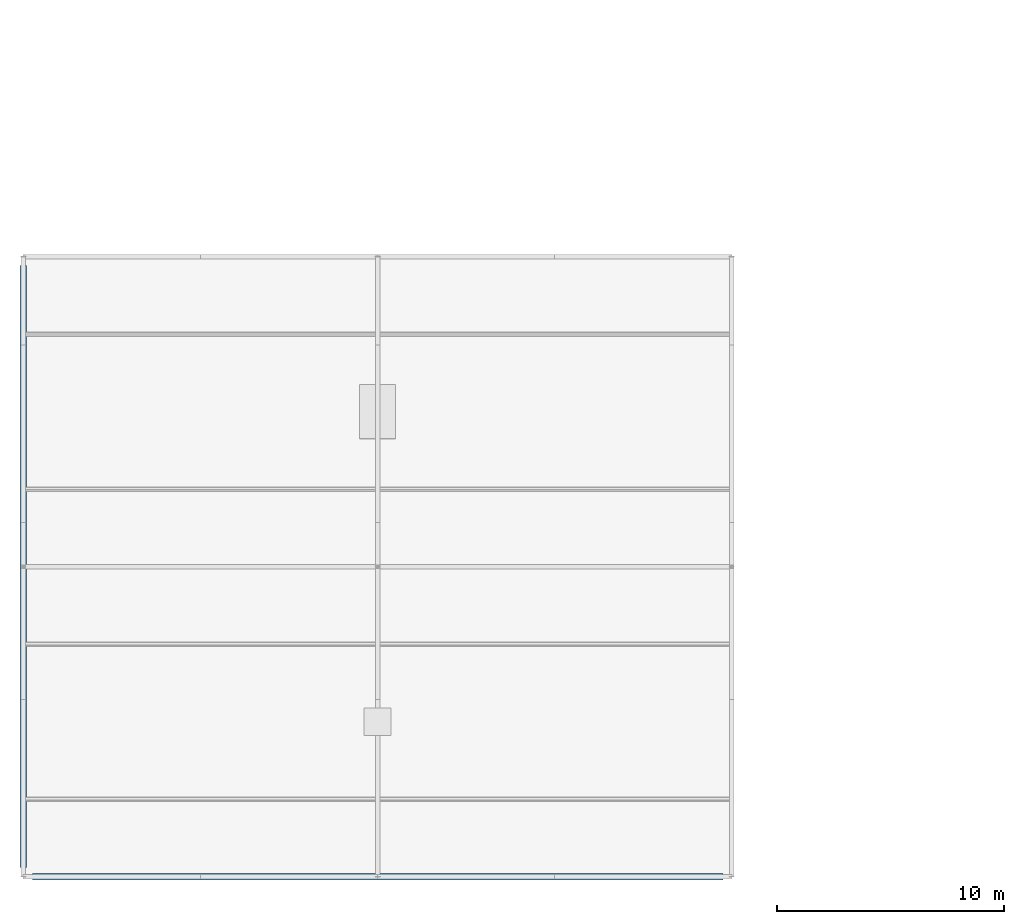
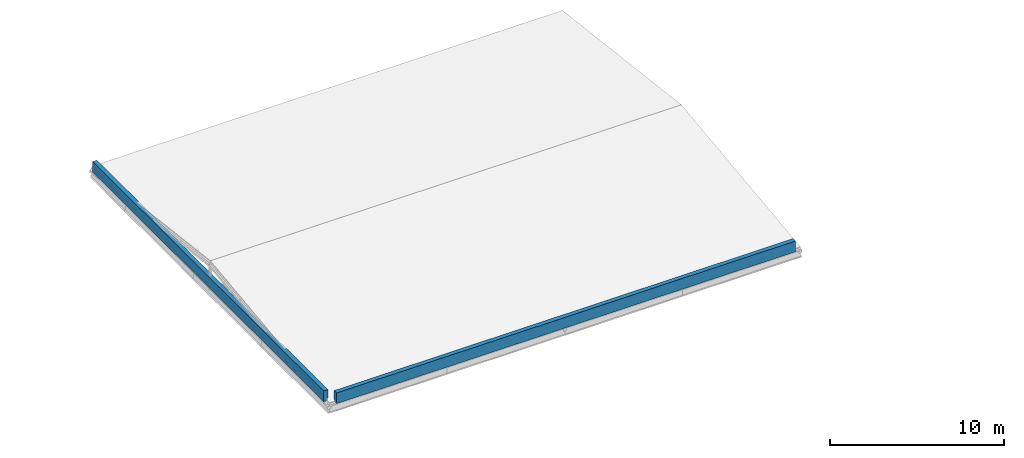
# One storey, part 16 of 21: 2 walls.
"""IFC4 building model written with IfcOpenShell, lengths in metres."""

from ifc_helpers import new_model, si_unit, direction, frame, frame_2d, origin, place, context, subcontext, project, spatial, rectangle, extrude, material, layer, layer_set, type_object, element, save


model = new_model("IFC4")

# Units and contexts
model_context = context("Model", 3, precision=1e-05, world=origin(), true_north=direction((0.0, 1.0)))
body_context = subcontext(model_context, "Body", "Model", "MODEL_VIEW")
ifc_project = project(units=[si_unit("LENGTHUNIT", "METRE"), si_unit("AREAUNIT", "SQUARE_METRE"), si_unit("VOLUMEUNIT", "CUBIC_METRE"), si_unit("PLANEANGLEUNIT", "RADIAN"), si_unit("MASSUNIT", "GRAM", prefix="KILO")], contexts=[model_context])

# Site, building, storey
site_placement = place(None, origin())
site = spatial("IfcSite", under=ifc_project, at=site_placement, CompositionType="ELEMENT")
building_placement = place(site_placement, origin())
building = spatial("IfcBuilding", under=site, at=building_placement, Name="Celorna Specialist Clinic", CompositionType="ELEMENT")
storey_placement = place(building_placement, frame((0.0, 0.0, 23.10009765625)))
storey = spatial("IfcBuildingStorey", under=building, at=storey_placement, Name="L05", CompositionType="ELEMENT", Elevation=23.10009765625)

# Walls
ifc_material = material(Name="Pero Pinheiro Lioz limestone coping wall", Category="masonry")
ifc_layer = layer(ifc_material, 0.280029296875, Name="Pero Pinheiro Lioz limestone coping wall")
ifc_layer_set = layer_set([ifc_layer], Name="Pero Pinheiro Lioz limestone coping wall")
wall_type = type_object("IfcWallType", Name="WT-09", PredefinedType="PARAPET", material=ifc_layer_set)
wall_1_placement = place(storey_placement, frame((0.39990234375, 0.0, 0.0), z_axis=(0.0, 0.0, 1.0), x_axis=(1.0, 0.0, 0.0)))
element("IfcWall", 1, at=wall_1_placement, inside=storey, type_object=wall_type, Name="Lioz roof parapet WT-09 #3", PredefinedType="PARAPET", context=body_context, shape_type="SweptSolid", body=[
    extrude(rectangle(XDim=30.400146484375, YDim=0.280029296875, at=frame_2d((15.2001953125, 0.0))), origin(), (0.0, 0.0, 1.0), 0.75),
])
wall_2_placement = place(storey_placement, frame((0.0, 26.89990234375, 0.0), z_axis=(0.0, 0.0, 1.0), x_axis=(0.0, -1.0, 0.0)))
element("IfcWall", 2, at=wall_2_placement, inside=storey, type_object=wall_type, Name="Lioz roof parapet WT-09 #4", PredefinedType="PARAPET", context=body_context, shape_type="SweptSolid", body=[
    extrude(rectangle(XDim=26.5, YDim=0.280029296875, at=frame_2d((13.25, 0.0))), origin(), (0.0, 0.0, 1.0), 0.75),
])

save(model, "model.ifc")
